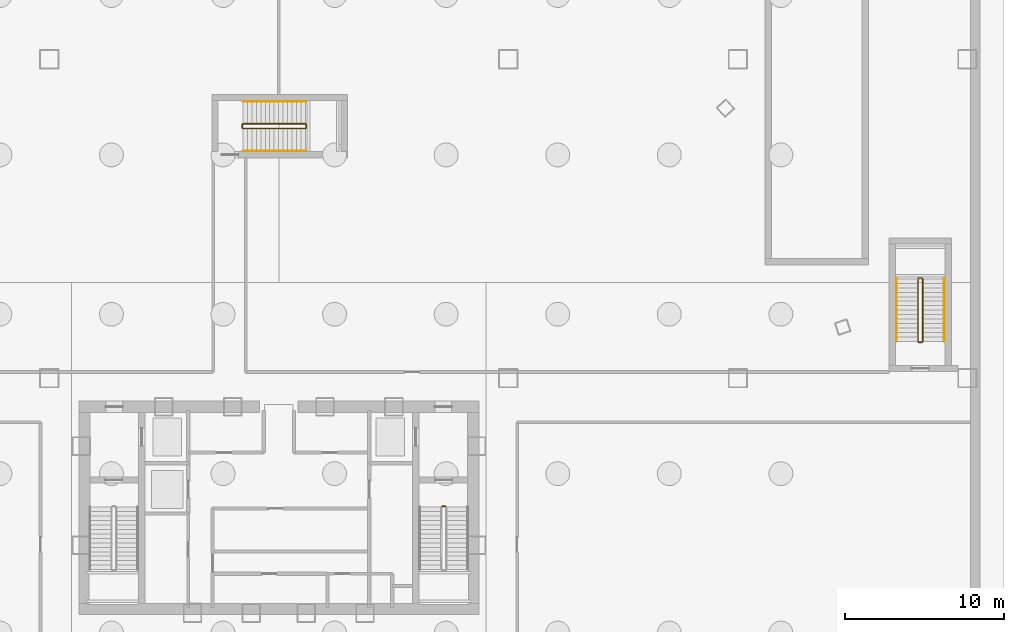
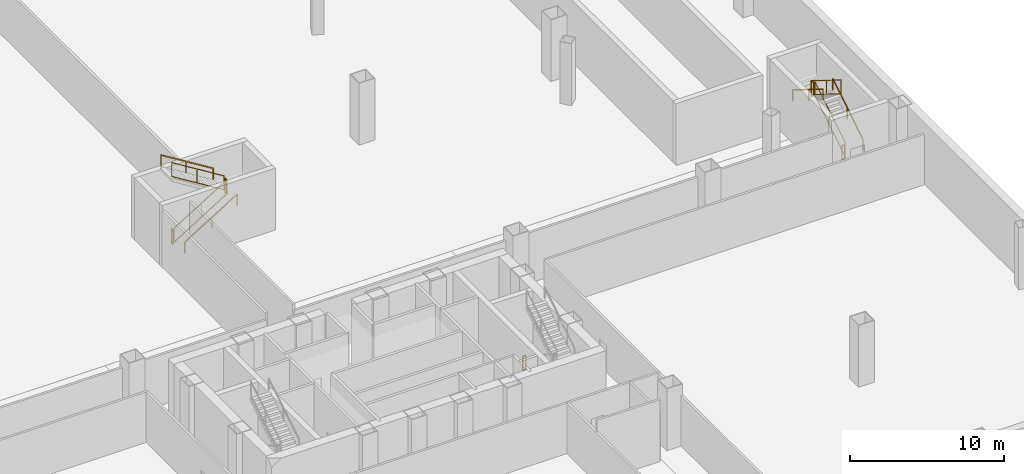
# One storey, part 14 of 15: 13 railings.
"""IFC4 building model written with IfcOpenShell, lengths in metres."""

from ifc_helpers import new_model, si_unit, direction, frame, origin, origin_2d, place, context, subcontext, project, spatial, rectangle, extrude, material, type_object, element, save


model = new_model("IFC4")

# Units and contexts
model_context = context("Model", 3, precision=1e-05, world=origin(), true_north=direction((0.0, 1.0)))
body_context = subcontext(model_context, "Body", "Model", "MODEL_VIEW")
ifc_project = project(units=[si_unit("LENGTHUNIT", "METRE"), si_unit("AREAUNIT", "SQUARE_METRE"), si_unit("VOLUMEUNIT", "CUBIC_METRE"), si_unit("PLANEANGLEUNIT", "RADIAN"), si_unit("MASSUNIT", "GRAM", prefix="KILO"), si_unit("THERMODYNAMICTEMPERATUREUNIT", "KELVIN"), si_unit("POWERUNIT", "WATT")], contexts=[model_context])

# Site, building, storey
site_placement = place(None, origin())
site = spatial("IfcSite", under=ifc_project, at=site_placement, CompositionType="ELEMENT")
building_placement = place(site_placement, origin())
building = spatial("IfcBuilding", under=site, at=building_placement, Name="Yunzhuo Pagoda Commons", CompositionType="ELEMENT")
storey_placement = place(building_placement, frame((0.0, 0.0, -10.0)))
storey = spatial("IfcBuildingStorey", under=building, at=storey_placement, Name="B02", CompositionType="ELEMENT", Elevation=-10.0)

# Railings
ifc_material = material(Name="Anodized aluminium 6063-T6", Category="aluminium")
railing_type_1 = type_object("IfcRailingType", Name="GR-PS4 Podium Well Guardrail 1165", PredefinedType="GUARDRAIL", material=ifc_material)
railing_1_placement = place(storey_placement, frame((88.39990234375, 44.300048828125, 0.17333984375)))
element("IfcRailing", 1, at=railing_1_placement, inside=storey, type_object=railing_type_1, Name="B02 PS4 stair guard 1", PredefinedType="GUARDRAIL", context=body_context, shape_type="SweptSolid", body=[
    extrude(rectangle(XDim=0.048095703125, YDim=0.048095703125, at=origin_2d()), frame((0.0, 0.0, 1.1259765625), z_axis=(0.0, 0.850251603719, 0.526376491091), x_axis=(-1.0, 0.0, 0.0)), (0.0, 0.0, 1.0), 4.6103515625),
    extrude(rectangle(XDim=0.048095703125, YDim=0.048095703125, at=origin_2d()), frame((0.0, 0.0, 0.02392578125), z_axis=(0.0, 0.850251603719, 0.526376491091), x_axis=(-1.0, 0.0, 0.0)), (0.0, 0.0, 1.0), 4.6103515625),
    extrude(rectangle(XDim=0.0419921875, YDim=0.0419921875, at=origin_2d()), origin(), (0.0, 0.0, 1.0), 1.101806640625),
    extrude(rectangle(XDim=0.0419921875, YDim=0.0419921875, at=origin_2d()), frame((0.0, 2.04052734375, 1.26318359375)), (0.0, 0.0, 1.0), 1.101806640625),
    extrude(rectangle(XDim=0.0419921875, YDim=0.0419921875, at=origin_2d()), frame((0.0, 3.919921875, 2.4267578125)), (0.0, 0.0, 1.0), 1.101806640625),
])
railing_2_placement = place(storey_placement, frame((88.35009765625, 48.27001953125, 2.60009765625)))
element("IfcRailing", 2, at=railing_2_placement, inside=storey, type_object=railing_type_1, Name="B02 PS4 stair guard 2", PredefinedType="GUARDRAIL", context=body_context, shape_type="SweptSolid", body=[
    extrude(rectangle(XDim=0.048095703125, YDim=0.048095703125, at=origin_2d()), frame((0.0, 0.0, 1.1259765625), z_axis=(-1.0, 0.0, 0.0), x_axis=(0.0, -1.0, 0.0)), (0.0, 0.0, 1.0), 0.2001953125),
    extrude(rectangle(XDim=0.048095703125, YDim=0.048095703125, at=origin_2d()), frame((0.0, 0.0, 0.02392578125), z_axis=(-1.0, 0.0, 0.0), x_axis=(0.0, -1.0, 0.0)), (0.0, 0.0, 1.0), 0.2001953125),
    extrude(rectangle(XDim=0.0419921875, YDim=0.0419921875, at=origin_2d()), origin(), (0.0, 0.0, 1.0), 1.101806640625),
    extrude(rectangle(XDim=0.0419921875, YDim=0.0419921875, at=origin_2d()), frame((-0.2001953125, 0.0, 0.0)), (0.0, 0.0, 1.0), 1.101806640625),
])
railing_3_placement = place(storey_placement, frame((88.10009765625, 48.219970703125, 2.7734375)))
element("IfcRailing", 3, at=railing_3_placement, inside=storey, type_object=railing_type_1, Name="B02 PS4 stair guard 3", PredefinedType="GUARDRAIL", context=body_context, shape_type="SweptSolid", body=[
    extrude(rectangle(XDim=0.048095703125, YDim=0.048095703125, at=origin_2d()), frame((0.0, 0.0, 1.1259765625), z_axis=(0.0, -0.850275303828, 0.526338206574), x_axis=(1.0, 0.0, 0.0)), (0.0, 0.0, 1.0), 4.610107421875),
    extrude(rectangle(XDim=0.048095703125, YDim=0.048095703125, at=origin_2d()), frame((0.0, 0.0, 0.02392578125), z_axis=(0.0, -0.850275303828, 0.526338206574), x_axis=(1.0, 0.0, 0.0)), (0.0, 0.0, 1.0), 4.610107421875),
    extrude(rectangle(XDim=0.0419921875, YDim=0.0419921875, at=origin_2d()), origin(), (0.0, 0.0, 1.0), 1.101806640625),
    extrude(rectangle(XDim=0.0419921875, YDim=0.0419921875, at=origin_2d()), frame((0.0, -2.040771484375, 1.26318359375)), (0.0, 0.0, 1.0), 1.101806640625),
    extrude(rectangle(XDim=0.0419921875, YDim=0.0419921875, at=origin_2d()), frame((0.0, -3.919921875, 2.426513671875)), (0.0, 0.0, 1.0), 1.101806640625),
])
railing_4_placement = place(storey_placement, frame((88.35009765625, 44.25, 0.0)))
element("IfcRailing", 4, at=railing_4_placement, inside=storey, type_object=railing_type_1, Name="B02 PS4 stair guard 4", PredefinedType="GUARDRAIL", context=body_context, shape_type="SweptSolid", body=[
    extrude(rectangle(XDim=0.048095703125, YDim=0.048095703125, at=origin_2d()), frame((0.0, 0.0, 1.1259765625), z_axis=(-1.0, 0.0, 0.0), x_axis=(0.0, -1.0, 0.0)), (0.0, 0.0, 1.0), 0.2001953125),
    extrude(rectangle(XDim=0.048095703125, YDim=0.048095703125, at=origin_2d()), frame((0.0, 0.0, 0.02392578125), z_axis=(-1.0, 0.0, 0.0), x_axis=(0.0, -1.0, 0.0)), (0.0, 0.0, 1.0), 0.2001953125),
    extrude(rectangle(XDim=0.0419921875, YDim=0.0419921875, at=origin_2d()), origin(), (0.0, 0.0, 1.0), 1.101806640625),
    extrude(rectangle(XDim=0.0419921875, YDim=0.0419921875, at=origin_2d()), frame((-0.2001953125, 0.0, 0.0)), (0.0, 0.0, 1.0), 1.101806640625),
])
railing_type_2 = type_object("IfcRailingType", Name="GR-ST2 Stair Well Guardrail 1160", PredefinedType="GUARDRAIL", material=ifc_material)
railing_5_placement = place(storey_placement, frame((58.25, 33.949951171875, 0.0)))
element("IfcRailing", 5, at=railing_5_placement, inside=storey, type_object=railing_type_2, Name="B02 ST2 stair guard 4", PredefinedType="GUARDRAIL", context=body_context, shape_type="SweptSolid", body=[
    extrude(rectangle(XDim=0.048095703125, YDim=0.048095703125, at=origin_2d()), frame((0.0, 0.0, 1.1259765625), z_axis=(1.0, 0.0, 0.0), x_axis=(0.0, 1.0, 0.0)), (0.0, 0.0, 1.0), 0.199951171875),
    extrude(rectangle(XDim=0.048095703125, YDim=0.048095703125, at=origin_2d()), frame((0.0, 0.0, 0.02392578125), z_axis=(1.0, 0.0, 0.0), x_axis=(0.0, 1.0, 0.0)), (0.0, 0.0, 1.0), 0.199951171875),
    extrude(rectangle(XDim=0.0419921875, YDim=0.0419921875, at=origin_2d()), origin(), (0.0, 0.0, 1.0), 1.101806640625),
    extrude(rectangle(XDim=0.0419921875, YDim=0.0419921875, at=origin_2d()), frame((0.199951171875, 0.0, 0.0)), (0.0, 0.0, 1.0), 1.101806640625),
])
railing_type_3 = type_object("IfcRailingType", Name="GR-ST3 North Well Guardrail 1155", PredefinedType="GUARDRAIL", material=ifc_material)
railing_6_placement = place(storey_placement, frame((45.75, 57.64990234375, 0.17333984375)))
element("IfcRailing", 6, at=railing_6_placement, inside=storey, type_object=railing_type_3, Name="B02 ST3 stair guard 1", PredefinedType="GUARDRAIL", context=body_context, shape_type="SweptSolid", body=[
    extrude(rectangle(XDim=0.048095703125, YDim=0.048095703125, at=origin_2d()), frame((0.0, 0.0, 1.1259765625), z_axis=(0.850251603719, 0.0, 0.526376491091), x_axis=(0.0, 1.0, 0.0)), (0.0, 0.0, 1.0), 4.6103515625),
    extrude(rectangle(XDim=0.048095703125, YDim=0.048095703125, at=origin_2d()), frame((0.0, 0.0, 0.02392578125), z_axis=(0.850251603719, 0.0, 0.526376491091), x_axis=(0.0, 1.0, 0.0)), (0.0, 0.0, 1.0), 4.6103515625),
    extrude(rectangle(XDim=0.0419921875, YDim=0.0419921875, at=origin_2d()), origin(), (0.0, 0.0, 1.0), 1.101806640625),
    extrude(rectangle(XDim=0.0419921875, YDim=0.0419921875, at=origin_2d()), frame((2.04052734375, 0.0, 1.26318359375)), (0.0, 0.0, 1.0), 1.101806640625),
    extrude(rectangle(XDim=0.0419921875, YDim=0.0419921875, at=origin_2d()), frame((3.919921875, 0.0, 2.4267578125)), (0.0, 0.0, 1.0), 1.101806640625),
])
railing_7_placement = place(storey_placement, frame((49.719970703125, 57.699951171875, 2.60009765625)))
element("IfcRailing", 7, at=railing_7_placement, inside=storey, type_object=railing_type_3, Name="B02 ST3 stair guard 2", PredefinedType="GUARDRAIL", context=body_context, shape_type="SweptSolid", body=[
    extrude(rectangle(XDim=0.048095703125, YDim=0.048095703125, at=origin_2d()), frame((0.0, 0.0, 1.1259765625), z_axis=(0.0, 1.0, 0.0), x_axis=(-1.0, 0.0, 0.0)), (0.0, 0.0, 1.0), 0.199951171875),
    extrude(rectangle(XDim=0.048095703125, YDim=0.048095703125, at=origin_2d()), frame((0.0, 0.0, 0.02392578125), z_axis=(0.0, 1.0, 0.0), x_axis=(-1.0, 0.0, 0.0)), (0.0, 0.0, 1.0), 0.199951171875),
    extrude(rectangle(XDim=0.0419921875, YDim=0.0419921875, at=origin_2d()), origin(), (0.0, 0.0, 1.0), 1.101806640625),
    extrude(rectangle(XDim=0.0419921875, YDim=0.0419921875, at=origin_2d()), frame((0.0, 0.199951171875, 0.0)), (0.0, 0.0, 1.0), 1.101806640625),
])
railing_8_placement = place(storey_placement, frame((49.669921875, 57.949951171875, 2.7734375)))
element("IfcRailing", 8, at=railing_8_placement, inside=storey, type_object=railing_type_3, Name="B02 ST3 stair guard 3", PredefinedType="GUARDRAIL", context=body_context, shape_type="SweptSolid", body=[
    extrude(rectangle(XDim=0.048095703125, YDim=0.048095703125, at=origin_2d()), frame((0.0, 0.0, 1.1259765625), z_axis=(-0.850275303828, 0.0, 0.526338206574), x_axis=(0.0, -1.0, 0.0)), (0.0, 0.0, 1.0), 4.610107421875),
    extrude(rectangle(XDim=0.048095703125, YDim=0.048095703125, at=origin_2d()), frame((0.0, 0.0, 0.02392578125), z_axis=(-0.850275303828, 0.0, 0.526338206574), x_axis=(0.0, -1.0, 0.0)), (0.0, 0.0, 1.0), 4.610107421875),
    extrude(rectangle(XDim=0.0419921875, YDim=0.0419921875, at=origin_2d()), origin(), (0.0, 0.0, 1.0), 1.101806640625),
    extrude(rectangle(XDim=0.0419921875, YDim=0.0419921875, at=origin_2d()), frame((-2.040771484375, 0.0, 1.26318359375)), (0.0, 0.0, 1.0), 1.101806640625),
    extrude(rectangle(XDim=0.0419921875, YDim=0.0419921875, at=origin_2d()), frame((-3.919921875, 0.0, 2.426513671875)), (0.0, 0.0, 1.0), 1.101806640625),
])
railing_9_placement = place(storey_placement, frame((45.699951171875, 57.699951171875, 0.0)))
element("IfcRailing", 9, at=railing_9_placement, inside=storey, type_object=railing_type_3, Name="B02 ST3 stair guard 4", PredefinedType="GUARDRAIL", context=body_context, shape_type="SweptSolid", body=[
    extrude(rectangle(XDim=0.048095703125, YDim=0.048095703125, at=origin_2d()), frame((0.0, 0.0, 1.1259765625), z_axis=(0.0, 1.0, 0.0), x_axis=(-1.0, 0.0, 0.0)), (0.0, 0.0, 1.0), 0.199951171875),
    extrude(rectangle(XDim=0.048095703125, YDim=0.048095703125, at=origin_2d()), frame((0.0, 0.0, 0.02392578125), z_axis=(0.0, 1.0, 0.0), x_axis=(-1.0, 0.0, 0.0)), (0.0, 0.0, 1.0), 0.199951171875),
    extrude(rectangle(XDim=0.0419921875, YDim=0.0419921875, at=origin_2d()), origin(), (0.0, 0.0, 1.0), 1.101806640625),
    extrude(rectangle(XDim=0.0419921875, YDim=0.0419921875, at=origin_2d()), frame((0.0, 0.199951171875, 0.0)), (0.0, 0.0, 1.0), 1.101806640625),
])
railing_type_4 = type_object("IfcRailingType", Name="HR-PS4 Podium Stair Handrail 900", PredefinedType="HANDRAIL", material=ifc_material)
railing_10_placement = place(storey_placement, frame((89.75, 44.300048828125, 0.17333984375)))
element("IfcRailing", 10, at=railing_10_placement, inside=storey, type_object=railing_type_4, Name="B02 PS4 stair handrail 1", PredefinedType="HANDRAIL", context=body_context, shape_type="SweptSolid", body=[
    extrude(rectangle(XDim=0.048095703125, YDim=0.048095703125, at=origin_2d()), frame((0.0, 0.0, 0.8759765625), z_axis=(0.0, 0.850251603719, 0.526376491091), x_axis=(-1.0, 0.0, 0.0)), (0.0, 0.0, 1.0), 4.6103515625),
    extrude(rectangle(XDim=0.0419921875, YDim=0.0419921875, at=origin_2d()), origin(), (0.0, 0.0, 1.0), 0.851806640625),
    extrude(rectangle(XDim=0.0419921875, YDim=0.0419921875, at=origin_2d()), frame((0.0, 2.04052734375, 1.26318359375)), (0.0, 0.0, 1.0), 0.851806640625),
    extrude(rectangle(XDim=0.0419921875, YDim=0.0419921875, at=origin_2d()), frame((0.0, 3.919921875, 2.4267578125)), (0.0, 0.0, 1.0), 0.851806640625),
])
railing_11_placement = place(storey_placement, frame((86.75, 48.219970703125, 2.7734375)))
element("IfcRailing", 11, at=railing_11_placement, inside=storey, type_object=railing_type_4, Name="B02 PS4 stair handrail 2", PredefinedType="HANDRAIL", context=body_context, shape_type="SweptSolid", body=[
    extrude(rectangle(XDim=0.048095703125, YDim=0.048095703125, at=origin_2d()), frame((0.0, 0.0, 0.8759765625), z_axis=(0.0, -0.850275303828, 0.526338206574), x_axis=(1.0, 0.0, 0.0)), (0.0, 0.0, 1.0), 4.610107421875),
    extrude(rectangle(XDim=0.0419921875, YDim=0.0419921875, at=origin_2d()), origin(), (0.0, 0.0, 1.0), 0.851806640625),
    extrude(rectangle(XDim=0.0419921875, YDim=0.0419921875, at=origin_2d()), frame((0.0, -2.040771484375, 1.26318359375)), (0.0, 0.0, 1.0), 0.851806640625),
    extrude(rectangle(XDim=0.0419921875, YDim=0.0419921875, at=origin_2d()), frame((0.0, -3.919921875, 2.426513671875)), (0.0, 0.0, 1.0), 0.851806640625),
])
railing_type_5 = type_object("IfcRailingType", Name="HR-ST3 North Stair Handrail 900", PredefinedType="HANDRAIL", material=ifc_material)
railing_12_placement = place(storey_placement, frame((45.75, 56.25, 0.17333984375)))
element("IfcRailing", 12, at=railing_12_placement, inside=storey, type_object=railing_type_5, Name="B02 ST3 stair handrail 1", PredefinedType="HANDRAIL", context=body_context, shape_type="SweptSolid", body=[
    extrude(rectangle(XDim=0.048095703125, YDim=0.048095703125, at=origin_2d()), frame((0.0, 0.0, 0.8759765625), z_axis=(0.850251603719, 0.0, 0.526376491091), x_axis=(0.0, 1.0, 0.0)), (0.0, 0.0, 1.0), 4.6103515625),
    extrude(rectangle(XDim=0.0419921875, YDim=0.0419921875, at=origin_2d()), origin(), (0.0, 0.0, 1.0), 0.851806640625),
    extrude(rectangle(XDim=0.0419921875, YDim=0.0419921875, at=origin_2d()), frame((2.04052734375, 0.0, 1.26318359375)), (0.0, 0.0, 1.0), 0.851806640625),
    extrude(rectangle(XDim=0.0419921875, YDim=0.0419921875, at=origin_2d()), frame((3.919921875, 0.0, 2.4267578125)), (0.0, 0.0, 1.0), 0.851806640625),
])
railing_13_placement = place(storey_placement, frame((49.669921875, 59.35009765625, 2.7734375)))
element("IfcRailing", 13, at=railing_13_placement, inside=storey, type_object=railing_type_5, Name="B02 ST3 stair handrail 2", PredefinedType="HANDRAIL", context=body_context, shape_type="SweptSolid", body=[
    extrude(rectangle(XDim=0.048095703125, YDim=0.048095703125, at=origin_2d()), frame((0.0, 0.0, 0.8759765625), z_axis=(-0.850275303828, 0.0, 0.526338206574), x_axis=(0.0, -1.0, 0.0)), (0.0, 0.0, 1.0), 4.610107421875),
    extrude(rectangle(XDim=0.0419921875, YDim=0.0419921875, at=origin_2d()), origin(), (0.0, 0.0, 1.0), 0.851806640625),
    extrude(rectangle(XDim=0.0419921875, YDim=0.0419921875, at=origin_2d()), frame((-2.040771484375, 0.0, 1.26318359375)), (0.0, 0.0, 1.0), 0.851806640625),
    extrude(rectangle(XDim=0.0419921875, YDim=0.0419921875, at=origin_2d()), frame((-3.919921875, 0.0, 2.426513671875)), (0.0, 0.0, 1.0), 0.851806640625),
])

save(model, "model.ifc")
